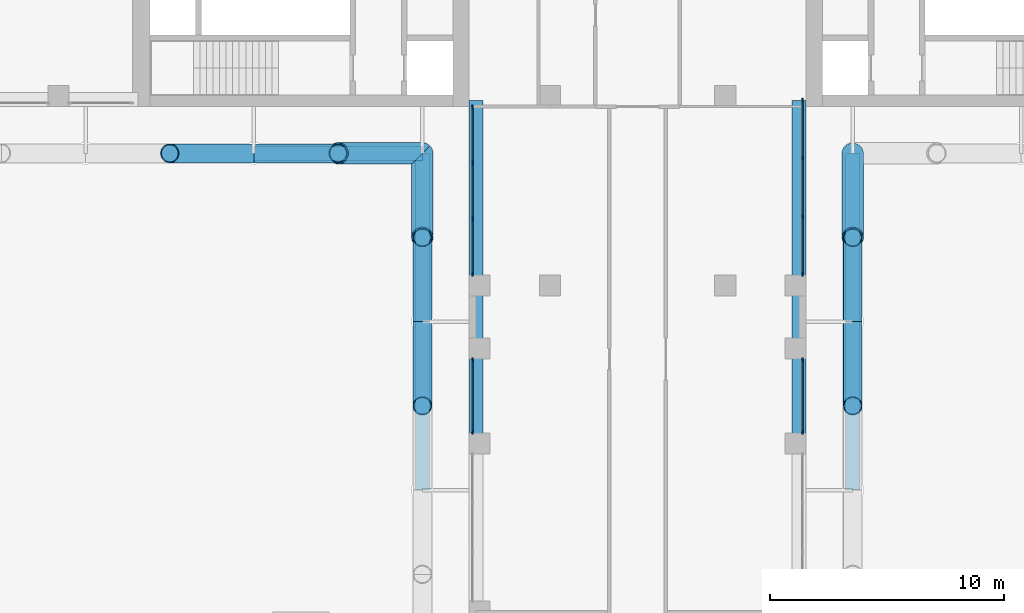
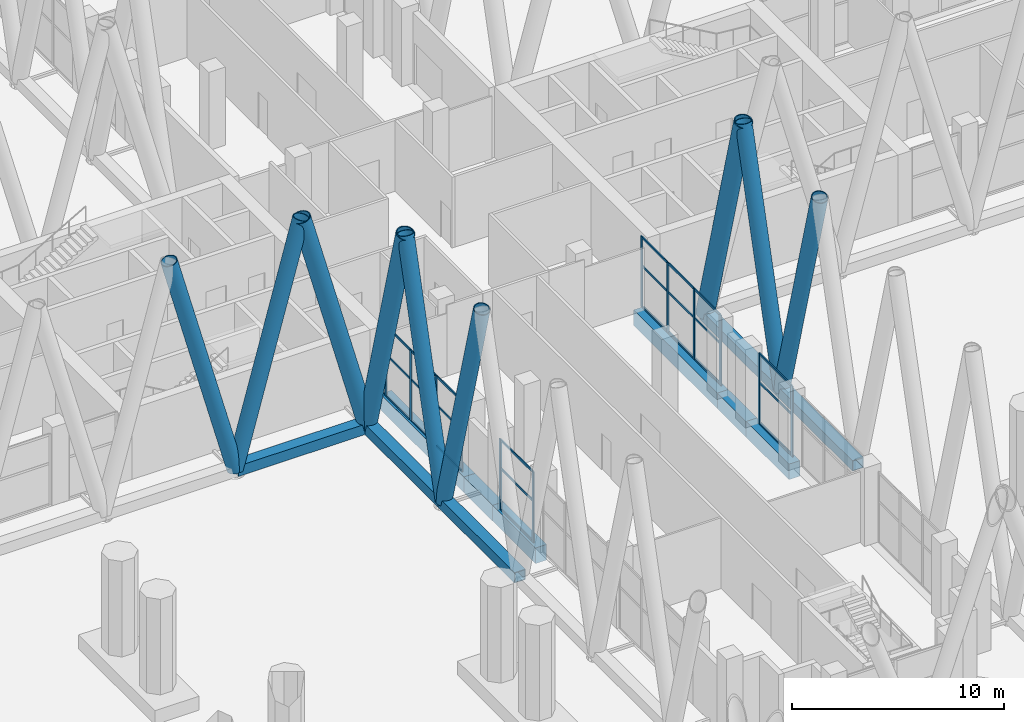
# One storey, part 6 of 31: 50 members, 6 beams, 4 elements without a shape of their own.
"""IFC4 building model written with IfcOpenShell, lengths in metres."""

from ifc_helpers import new_model, si_unit, direction, frame, origin, origin_2d, place, context, subcontext, project, spatial, rectangle, hollow_rectangle, hollow_circle, extrude, material, material_profile, profile_set, type_object, element, aggregate, save


model = new_model("IFC4")

# Units and contexts
model_context = context("Model", 3, precision=1e-05, world=origin(), true_north=direction((0.0, 1.0)))
body_context = subcontext(model_context, "Body", "Model", "MODEL_VIEW")
ifc_project = project(units=[si_unit("LENGTHUNIT", "METRE"), si_unit("AREAUNIT", "SQUARE_METRE"), si_unit("VOLUMEUNIT", "CUBIC_METRE"), si_unit("PLANEANGLEUNIT", "RADIAN"), si_unit("MASSUNIT", "GRAM", prefix="KILO")], contexts=[model_context])

# Site, building, storey
site_placement = place(None, origin())
site = spatial("IfcSite", under=ifc_project, at=site_placement, CompositionType="ELEMENT")
building_placement = place(site_placement, origin())
building = spatial("IfcBuilding", under=site, at=building_placement, Name="Fustian Cross Tower", CompositionType="ELEMENT")
storey_placement = place(building_placement, frame((0.0, 0.0, 7.199951171875)))
storey = spatial("IfcBuildingStorey", under=building, at=storey_placement, Name="L01", CompositionType="ELEMENT", Elevation=7.199951171875)

# Curtain wall, members
ifc_material_1 = material(Name="Glass", Category="glass")
curtain_wall_type = type_object("IfcCurtainWallType", Name="CW4 CURTAIN WALL", PredefinedType="NOTDEFINED", material=ifc_material_1)
curtain_wall_1_placement = place(storey_placement, origin())
curtain_wall_1 = element("IfcCurtainWall", 1, at=curtain_wall_1_placement, inside=storey, type_object=curtain_wall_type, Name="Curtain wall CW4", PredefinedType="NOTDEFINED")
ifc_material_2 = material(Name="Aluminium alloy 6063", Category="aluminium")
ifc_material_profile_1 = material_profile(ifc_material_2, rectangle(XDim=0.06005859375, YDim=0.159912109375, at=origin_2d()), Name="CW4 MULLION 60x160")
ifc_profile_set_1 = profile_set([ifc_material_profile_1], Name="Aluminium alloy 6063")
member_type_1 = type_object("IfcMemberType", Name="CW4 MULLION 60x160", PredefinedType="MULLION", material=ifc_profile_set_1)
member_1_placement = place(storey_placement, frame((-7.050048828125, -7.22998046875, 0.0), z_axis=(0.0, 0.0, 1.0), x_axis=(1.0, 0.0, 0.0)))
member_1 = element("IfcMember", 2, at=member_1_placement, type_object=member_type_1, Name="CW4 mullion 1", PredefinedType="MULLION", context=body_context, shape_type="SweptSolid", body=[
    extrude(rectangle(XDim=0.06005859375, YDim=0.159912109375, at=origin_2d()), origin(), (0.0, 0.0, 1.0), 4.074951171875),
])
member_2_placement = place(storey_placement, frame((-7.050048828125, -9.60009765625, 0.0), z_axis=(0.0, 0.0, 1.0), x_axis=(1.0, 0.0, 0.0)))
member_2 = element("IfcMember", 3, at=member_2_placement, type_object=member_type_1, Name="CW4 mullion 2", PredefinedType="MULLION", context=body_context, shape_type="SweptSolid", body=[
    extrude(rectangle(XDim=0.06005859375, YDim=0.159912109375, at=origin_2d()), origin(), (0.0, 0.0, 1.0), 4.074951171875),
])
member_3_placement = place(storey_placement, frame((-7.050048828125, -12.0, 0.0), z_axis=(0.0, 0.0, 1.0), x_axis=(1.0, 0.0, 0.0)))
member_3 = element("IfcMember", 4, at=member_3_placement, type_object=member_type_1, Name="CW4 mullion 3", PredefinedType="MULLION", context=body_context, shape_type="SweptSolid", body=[
    extrude(rectangle(XDim=0.06005859375, YDim=0.159912109375, at=origin_2d()), origin(), (0.0, 0.0, 1.0), 4.074951171875),
])
member_4_placement = place(storey_placement, frame((-7.050048828125, -14.3701171875, 0.0), z_axis=(0.0, 0.0, 1.0), x_axis=(1.0, 0.0, 0.0)))
member_4 = element("IfcMember", 5, at=member_4_placement, type_object=member_type_1, Name="CW4 mullion 4", PredefinedType="MULLION", context=body_context, shape_type="SweptSolid", body=[
    extrude(rectangle(XDim=0.06005859375, YDim=0.159912109375, at=origin_2d()), origin(), (0.0, 0.0, 1.0), 4.074951171875),
])

curtain_wall_2_placement = place(storey_placement, origin())
curtain_wall_2 = element("IfcCurtainWall", 6, at=curtain_wall_2_placement, inside=storey, type_object=curtain_wall_type, Name="Curtain wall CW4", PredefinedType="NOTDEFINED")
member_5_placement = place(storey_placement, frame((-7.050048828125, -18.030029296875, 0.0), z_axis=(0.0, 0.0, 1.0), x_axis=(1.0, 0.0, 0.0)))
member_5 = element("IfcMember", 7, at=member_5_placement, type_object=member_type_1, Name="CW4 mullion 1", PredefinedType="MULLION", context=body_context, shape_type="SweptSolid", body=[
    extrude(rectangle(XDim=0.06005859375, YDim=0.159912109375, at=origin_2d()), origin(), (0.0, 0.0, 1.0), 4.074951171875),
])
member_6_placement = place(storey_placement, frame((-7.050048828125, -21.1201171875, 0.0), z_axis=(0.0, 0.0, 1.0), x_axis=(1.0, 0.0, 0.0)))
member_6 = element("IfcMember", 8, at=member_6_placement, type_object=member_type_1, Name="CW4 mullion 2", PredefinedType="MULLION", context=body_context, shape_type="SweptSolid", body=[
    extrude(rectangle(XDim=0.06005859375, YDim=0.159912109375, at=origin_2d()), origin(), (0.0, 0.0, 1.0), 4.074951171875),
])

curtain_wall_3_placement = place(storey_placement, origin())
curtain_wall_3 = element("IfcCurtainWall", 9, at=curtain_wall_3_placement, inside=storey, type_object=curtain_wall_type, Name="Curtain wall CW4", PredefinedType="NOTDEFINED")
member_7_placement = place(storey_placement, frame((7.050048828125, -21.1201171875, 0.0), z_axis=(0.0, 0.0, 1.0), x_axis=(-1.0, 0.0, 0.0)))
member_7 = element("IfcMember", 10, at=member_7_placement, type_object=member_type_1, Name="CW4 mullion 1", PredefinedType="MULLION", context=body_context, shape_type="SweptSolid", body=[
    extrude(rectangle(XDim=0.06005859375, YDim=0.159912109375, at=origin_2d()), origin(), (0.0, 0.0, 1.0), 4.074951171875),
])
member_8_placement = place(storey_placement, frame((7.050048828125, -18.030029296875, 0.0), z_axis=(0.0, 0.0, 1.0), x_axis=(-1.0, 0.0, 0.0)))
member_8 = element("IfcMember", 11, at=member_8_placement, type_object=member_type_1, Name="CW4 mullion 2", PredefinedType="MULLION", context=body_context, shape_type="SweptSolid", body=[
    extrude(rectangle(XDim=0.06005859375, YDim=0.159912109375, at=origin_2d()), origin(), (0.0, 0.0, 1.0), 4.074951171875),
])

curtain_wall_4_placement = place(storey_placement, origin())
curtain_wall_4 = element("IfcCurtainWall", 12, at=curtain_wall_4_placement, inside=storey, type_object=curtain_wall_type, Name="Curtain wall CW4", PredefinedType="NOTDEFINED")
member_9_placement = place(storey_placement, frame((7.050048828125, -14.3701171875, 0.0), z_axis=(0.0, 0.0, 1.0), x_axis=(-1.0, 0.0, 0.0)))
member_9 = element("IfcMember", 13, at=member_9_placement, type_object=member_type_1, Name="CW4 mullion 1", PredefinedType="MULLION", context=body_context, shape_type="SweptSolid", body=[
    extrude(rectangle(XDim=0.06005859375, YDim=0.159912109375, at=origin_2d()), origin(), (0.0, 0.0, 1.0), 4.074951171875),
])
member_10_placement = place(storey_placement, frame((7.050048828125, -11.89990234375, 0.0), z_axis=(0.0, 0.0, 1.0), x_axis=(-1.0, 0.0, 0.0)))
member_10 = element("IfcMember", 14, at=member_10_placement, type_object=member_type_1, Name="CW4 mullion 2", PredefinedType="MULLION", context=body_context, shape_type="SweptSolid", body=[
    extrude(rectangle(XDim=0.06005859375, YDim=0.159912109375, at=origin_2d()), origin(), (0.0, 0.0, 1.0), 4.074951171875),
])
member_11_placement = place(storey_placement, frame((7.050048828125, -9.39990234375, 0.0), z_axis=(0.0, 0.0, 1.0), x_axis=(-1.0, 0.0, 0.0)))
member_11 = element("IfcMember", 15, at=member_11_placement, type_object=member_type_1, Name="CW4 mullion 3", PredefinedType="MULLION", context=body_context, shape_type="SweptSolid", body=[
    extrude(rectangle(XDim=0.06005859375, YDim=0.159912109375, at=origin_2d()), origin(), (0.0, 0.0, 1.0), 4.074951171875),
])
member_12_placement = place(storey_placement, frame((7.050048828125, -6.929931640625, 0.0), z_axis=(0.0, 0.0, 1.0), x_axis=(-1.0, 0.0, 0.0)))
member_12 = element("IfcMember", 16, at=member_12_placement, type_object=member_type_1, Name="CW4 mullion 4", PredefinedType="MULLION", context=body_context, shape_type="SweptSolid", body=[
    extrude(rectangle(XDim=0.06005859375, YDim=0.159912109375, at=origin_2d()), origin(), (0.0, 0.0, 1.0), 4.074951171875),
])

# Member
ifc_material_3 = material(Name="Aluminium alloy 6063", Category="aluminium")
ifc_material_profile_2 = material_profile(ifc_material_3, rectangle(XDim=0.06005859375, YDim=0.1201171875, at=origin_2d()), Name="CW4 TRANSOM 60x120")
ifc_profile_set_2 = profile_set([ifc_material_profile_2], Name="Aluminium alloy 6063")
member_type_2 = type_object("IfcMemberType", Name="CW4 TRANSOM 60x120", PredefinedType="USERDEFINED", material=ifc_profile_set_2)
member_13_placement = place(storey_placement, frame((-7.050048828125, -7.260009765625, 0.030029296875), z_axis=(0.0, -1.0, 0.0), x_axis=(1.0, 0.0, 0.0)))
member_13 = element("IfcMember", 17, at=member_13_placement, type_object=member_type_2, Name="CW4 transom 1.1", ObjectType="TRANSOM", PredefinedType="USERDEFINED", context=body_context, shape_type="SweptSolid", body=[
    extrude(rectangle(XDim=0.06005859375, YDim=0.1201171875, at=origin_2d()), origin(), (0.0, 0.0, 1.0), 2.31005859375),
])

member_14_placement = place(storey_placement, frame((-7.050048828125, -7.260009765625, 2.400146484375), z_axis=(0.0, -1.0, 0.0), x_axis=(1.0, 0.0, 0.0)))
member_14 = element("IfcMember", 18, at=member_14_placement, type_object=member_type_2, Name="CW4 transom 1.2", ObjectType="TRANSOM", PredefinedType="USERDEFINED", context=body_context, shape_type="SweptSolid", body=[
    extrude(rectangle(XDim=0.06005859375, YDim=0.1201171875, at=origin_2d()), origin(), (0.0, 0.0, 1.0), 2.31005859375),
])

member_15_placement = place(storey_placement, frame((-7.050048828125, -7.260009765625, 4.045166015625), z_axis=(0.0, -1.0, 0.0), x_axis=(1.0, 0.0, 0.0)))
member_15 = element("IfcMember", 19, at=member_15_placement, type_object=member_type_2, Name="CW4 transom 1.3", ObjectType="TRANSOM", PredefinedType="USERDEFINED", context=body_context, shape_type="SweptSolid", body=[
    extrude(rectangle(XDim=0.06005859375, YDim=0.1201171875, at=origin_2d()), origin(), (0.0, 0.0, 1.0), 2.31005859375),
])

member_16_placement = place(storey_placement, frame((-7.050048828125, -9.6298828125, 0.030029296875), z_axis=(0.0, -1.0, 0.0), x_axis=(1.0, 0.0, 0.0)))
member_16 = element("IfcMember", 20, at=member_16_placement, type_object=member_type_2, Name="CW4 transom 2.1", ObjectType="TRANSOM", PredefinedType="USERDEFINED", context=body_context, shape_type="SweptSolid", body=[
    extrude(rectangle(XDim=0.06005859375, YDim=0.1201171875, at=origin_2d()), origin(), (0.0, 0.0, 1.0), 2.340087890625),
])

member_17_placement = place(storey_placement, frame((-7.050048828125, -9.6298828125, 2.400146484375), z_axis=(0.0, -1.0, 0.0), x_axis=(1.0, 0.0, 0.0)))
member_17 = element("IfcMember", 21, at=member_17_placement, type_object=member_type_2, Name="CW4 transom 2.2", ObjectType="TRANSOM", PredefinedType="USERDEFINED", context=body_context, shape_type="SweptSolid", body=[
    extrude(rectangle(XDim=0.06005859375, YDim=0.1201171875, at=origin_2d()), origin(), (0.0, 0.0, 1.0), 2.340087890625),
])

member_18_placement = place(storey_placement, frame((-7.050048828125, -9.6298828125, 4.045166015625), z_axis=(0.0, -1.0, 0.0), x_axis=(1.0, 0.0, 0.0)))
member_18 = element("IfcMember", 22, at=member_18_placement, type_object=member_type_2, Name="CW4 transom 2.3", ObjectType="TRANSOM", PredefinedType="USERDEFINED", context=body_context, shape_type="SweptSolid", body=[
    extrude(rectangle(XDim=0.06005859375, YDim=0.1201171875, at=origin_2d()), origin(), (0.0, 0.0, 1.0), 2.340087890625),
])

member_19_placement = place(storey_placement, frame((-7.050048828125, -12.030029296875, 0.030029296875), z_axis=(0.0, -1.0, 0.0), x_axis=(1.0, 0.0, 0.0)))
member_19 = element("IfcMember", 23, at=member_19_placement, type_object=member_type_2, Name="CW4 transom 3.1", ObjectType="TRANSOM", PredefinedType="USERDEFINED", context=body_context, shape_type="SweptSolid", body=[
    extrude(rectangle(XDim=0.06005859375, YDim=0.1201171875, at=origin_2d()), origin(), (0.0, 0.0, 1.0), 2.31005859375),
])

member_20_placement = place(storey_placement, frame((-7.050048828125, -12.030029296875, 2.400146484375), z_axis=(0.0, -1.0, 0.0), x_axis=(1.0, 0.0, 0.0)))
member_20 = element("IfcMember", 24, at=member_20_placement, type_object=member_type_2, Name="CW4 transom 3.2", ObjectType="TRANSOM", PredefinedType="USERDEFINED", context=body_context, shape_type="SweptSolid", body=[
    extrude(rectangle(XDim=0.06005859375, YDim=0.1201171875, at=origin_2d()), origin(), (0.0, 0.0, 1.0), 2.31005859375),
])

member_21_placement = place(storey_placement, frame((-7.050048828125, -12.030029296875, 4.045166015625), z_axis=(0.0, -1.0, 0.0), x_axis=(1.0, 0.0, 0.0)))
member_21 = element("IfcMember", 25, at=member_21_placement, type_object=member_type_2, Name="CW4 transom 3.3", ObjectType="TRANSOM", PredefinedType="USERDEFINED", context=body_context, shape_type="SweptSolid", body=[
    extrude(rectangle(XDim=0.06005859375, YDim=0.1201171875, at=origin_2d()), origin(), (0.0, 0.0, 1.0), 2.31005859375),
])

aggregate(curtain_wall_1, [member_1, member_2, member_3, member_4, member_13, member_14, member_15, member_16, member_17, member_18, member_19, member_20, member_21])

member_22_placement = place(storey_placement, frame((-7.050048828125, -18.06005859375, 0.030029296875), z_axis=(0.0, -1.0, 0.0), x_axis=(1.0, 0.0, 0.0)))
member_22 = element("IfcMember", 26, at=member_22_placement, type_object=member_type_2, Name="CW4 transom 1.1", ObjectType="TRANSOM", PredefinedType="USERDEFINED", context=body_context, shape_type="SweptSolid", body=[
    extrude(rectangle(XDim=0.06005859375, YDim=0.1201171875, at=origin_2d()), origin(), (0.0, 0.0, 1.0), 3.030029296875),
])

member_23_placement = place(storey_placement, frame((-7.050048828125, -18.06005859375, 2.400146484375), z_axis=(0.0, -1.0, 0.0), x_axis=(1.0, 0.0, 0.0)))
member_23 = element("IfcMember", 27, at=member_23_placement, type_object=member_type_2, Name="CW4 transom 1.2", ObjectType="TRANSOM", PredefinedType="USERDEFINED", context=body_context, shape_type="SweptSolid", body=[
    extrude(rectangle(XDim=0.06005859375, YDim=0.1201171875, at=origin_2d()), origin(), (0.0, 0.0, 1.0), 3.030029296875),
])

member_24_placement = place(storey_placement, frame((-7.050048828125, -18.06005859375, 4.045166015625), z_axis=(0.0, -1.0, 0.0), x_axis=(1.0, 0.0, 0.0)))
member_24 = element("IfcMember", 28, at=member_24_placement, type_object=member_type_2, Name="CW4 transom 1.3", ObjectType="TRANSOM", PredefinedType="USERDEFINED", context=body_context, shape_type="SweptSolid", body=[
    extrude(rectangle(XDim=0.06005859375, YDim=0.1201171875, at=origin_2d()), origin(), (0.0, 0.0, 1.0), 3.030029296875),
])

aggregate(curtain_wall_2, [member_5, member_6, member_22, member_23, member_24])

member_25_placement = place(storey_placement, frame((7.050048828125, -21.090087890625, 0.030029296875), z_axis=(0.0, 1.0, 0.0), x_axis=(-1.0, 0.0, 0.0)))
member_25 = element("IfcMember", 29, at=member_25_placement, type_object=member_type_2, Name="CW4 transom 1.1", ObjectType="TRANSOM", PredefinedType="USERDEFINED", context=body_context, shape_type="SweptSolid", body=[
    extrude(rectangle(XDim=0.06005859375, YDim=0.1201171875, at=origin_2d()), origin(), (0.0, 0.0, 1.0), 3.030029296875),
])

member_26_placement = place(storey_placement, frame((7.050048828125, -21.090087890625, 2.400146484375), z_axis=(0.0, 1.0, 0.0), x_axis=(-1.0, 0.0, 0.0)))
member_26 = element("IfcMember", 30, at=member_26_placement, type_object=member_type_2, Name="CW4 transom 1.2", ObjectType="TRANSOM", PredefinedType="USERDEFINED", context=body_context, shape_type="SweptSolid", body=[
    extrude(rectangle(XDim=0.06005859375, YDim=0.1201171875, at=origin_2d()), origin(), (0.0, 0.0, 1.0), 3.030029296875),
])

member_27_placement = place(storey_placement, frame((7.050048828125, -21.090087890625, 4.045166015625), z_axis=(0.0, 1.0, 0.0), x_axis=(-1.0, 0.0, 0.0)))
member_27 = element("IfcMember", 31, at=member_27_placement, type_object=member_type_2, Name="CW4 transom 1.3", ObjectType="TRANSOM", PredefinedType="USERDEFINED", context=body_context, shape_type="SweptSolid", body=[
    extrude(rectangle(XDim=0.06005859375, YDim=0.1201171875, at=origin_2d()), origin(), (0.0, 0.0, 1.0), 3.030029296875),
])

aggregate(curtain_wall_3, [member_7, member_8, member_25, member_26, member_27])

member_28_placement = place(storey_placement, frame((7.050048828125, -14.340087890625, 0.030029296875), z_axis=(0.0, 1.0, 0.0), x_axis=(-1.0, 0.0, 0.0)))
member_28 = element("IfcMember", 32, at=member_28_placement, type_object=member_type_2, Name="CW4 transom 1.1", ObjectType="TRANSOM", PredefinedType="USERDEFINED", context=body_context, shape_type="SweptSolid", body=[
    extrude(rectangle(XDim=0.06005859375, YDim=0.1201171875, at=origin_2d()), origin(), (0.0, 0.0, 1.0), 2.41015625),
])

member_29_placement = place(storey_placement, frame((7.050048828125, -14.340087890625, 2.400146484375), z_axis=(0.0, 1.0, 0.0), x_axis=(-1.0, 0.0, 0.0)))
member_29 = element("IfcMember", 33, at=member_29_placement, type_object=member_type_2, Name="CW4 transom 1.2", ObjectType="TRANSOM", PredefinedType="USERDEFINED", context=body_context, shape_type="SweptSolid", body=[
    extrude(rectangle(XDim=0.06005859375, YDim=0.1201171875, at=origin_2d()), origin(), (0.0, 0.0, 1.0), 2.41015625),
])

member_30_placement = place(storey_placement, frame((7.050048828125, -14.340087890625, 4.045166015625), z_axis=(0.0, 1.0, 0.0), x_axis=(-1.0, 0.0, 0.0)))
member_30 = element("IfcMember", 34, at=member_30_placement, type_object=member_type_2, Name="CW4 transom 1.3", ObjectType="TRANSOM", PredefinedType="USERDEFINED", context=body_context, shape_type="SweptSolid", body=[
    extrude(rectangle(XDim=0.06005859375, YDim=0.1201171875, at=origin_2d()), origin(), (0.0, 0.0, 1.0), 2.41015625),
])

member_31_placement = place(storey_placement, frame((7.050048828125, -11.8701171875, 0.030029296875), z_axis=(0.0, 1.0, 0.0), x_axis=(-1.0, 0.0, 0.0)))
member_31 = element("IfcMember", 35, at=member_31_placement, type_object=member_type_2, Name="CW4 transom 2.1", ObjectType="TRANSOM", PredefinedType="USERDEFINED", context=body_context, shape_type="SweptSolid", body=[
    extrude(rectangle(XDim=0.06005859375, YDim=0.1201171875, at=origin_2d()), origin(), (0.0, 0.0, 1.0), 2.440185546875),
])

member_32_placement = place(storey_placement, frame((7.050048828125, -11.8701171875, 2.400146484375), z_axis=(0.0, 1.0, 0.0), x_axis=(-1.0, 0.0, 0.0)))
member_32 = element("IfcMember", 36, at=member_32_placement, type_object=member_type_2, Name="CW4 transom 2.2", ObjectType="TRANSOM", PredefinedType="USERDEFINED", context=body_context, shape_type="SweptSolid", body=[
    extrude(rectangle(XDim=0.06005859375, YDim=0.1201171875, at=origin_2d()), origin(), (0.0, 0.0, 1.0), 2.440185546875),
])

member_33_placement = place(storey_placement, frame((7.050048828125, -11.8701171875, 4.045166015625), z_axis=(0.0, 1.0, 0.0), x_axis=(-1.0, 0.0, 0.0)))
member_33 = element("IfcMember", 37, at=member_33_placement, type_object=member_type_2, Name="CW4 transom 2.3", ObjectType="TRANSOM", PredefinedType="USERDEFINED", context=body_context, shape_type="SweptSolid", body=[
    extrude(rectangle(XDim=0.06005859375, YDim=0.1201171875, at=origin_2d()), origin(), (0.0, 0.0, 1.0), 2.440185546875),
])

member_34_placement = place(storey_placement, frame((7.050048828125, -9.3701171875, 0.030029296875), z_axis=(0.0, 1.0, 0.0), x_axis=(-1.0, 0.0, 0.0)))
member_34 = element("IfcMember", 38, at=member_34_placement, type_object=member_type_2, Name="CW4 transom 3.1", ObjectType="TRANSOM", PredefinedType="USERDEFINED", context=body_context, shape_type="SweptSolid", body=[
    extrude(rectangle(XDim=0.06005859375, YDim=0.1201171875, at=origin_2d()), origin(), (0.0, 0.0, 1.0), 2.41015625),
])

member_35_placement = place(storey_placement, frame((7.050048828125, -9.3701171875, 2.400146484375), z_axis=(0.0, 1.0, 0.0), x_axis=(-1.0, 0.0, 0.0)))
member_35 = element("IfcMember", 39, at=member_35_placement, type_object=member_type_2, Name="CW4 transom 3.2", ObjectType="TRANSOM", PredefinedType="USERDEFINED", context=body_context, shape_type="SweptSolid", body=[
    extrude(rectangle(XDim=0.06005859375, YDim=0.1201171875, at=origin_2d()), origin(), (0.0, 0.0, 1.0), 2.41015625),
])

member_36_placement = place(storey_placement, frame((7.050048828125, -9.3701171875, 4.045166015625), z_axis=(0.0, 1.0, 0.0), x_axis=(-1.0, 0.0, 0.0)))
member_36 = element("IfcMember", 40, at=member_36_placement, type_object=member_type_2, Name="CW4 transom 3.3", ObjectType="TRANSOM", PredefinedType="USERDEFINED", context=body_context, shape_type="SweptSolid", body=[
    extrude(rectangle(XDim=0.06005859375, YDim=0.1201171875, at=origin_2d()), origin(), (0.0, 0.0, 1.0), 2.41015625),
])

aggregate(curtain_wall_4, [member_9, member_10, member_11, member_12, member_28, member_29, member_30, member_31, member_32, member_33, member_34, member_35, member_36])

# Members
ifc_material_4 = material(Name="Steel S355", Category="steel")
ifc_material_profile_3 = material_profile(ifc_material_4, hollow_circle(Radius=0.406494140625, WallThickness=0.0400390625, at=origin_2d()), Name="CHS 813x40")
ifc_profile_set_3 = profile_set([ifc_material_profile_3], Name="Steel S355")
member_type_3 = type_object("IfcMemberType", Name="DIAGRID DIAGONAL CHS 813x40", PredefinedType="BRACE", material=ifc_profile_set_3)
for number, where, z_axis, x_axis, name in (
    (41, (-16.39990234375, -9.199951171875, 0.300048828125), (-0.263124955092, 0.0, 0.964761762306), (0.0, -1.0, 0.0), "Diagrid diagonal W-S 08"),
    (42, (-16.39990234375, -9.199951171875, 0.300048828125), (0.263108346568, 0.0, 0.964766291889), (0.0, 1.0, 0.0), "Diagrid diagonal W-S 09"),
    (43, (-9.199951171875, -16.39990234375, 0.300048828125), (0.0, 0.263108346568, 0.964766291889), (-1.0, 0.0, 0.0), "Diagrid diagonal S-W 02"),
    (44, (-9.199951171875, -16.39990234375, 0.300048828125), (0.0, -0.263124955092, 0.964761762306), (1.0, 0.0, 0.0), "Diagrid diagonal S-W 03"),
    (45, (9.199951171875, -16.39990234375, 0.300048828125), (0.0, -0.263124955092, 0.964761762306), (1.0, 0.0, 0.0), "Diagrid diagonal S-E 08"),
    (46, (9.199951171875, -16.39990234375, 0.300048828125), (0.0, 0.263108346568, 0.964766291889), (-1.0, 0.0, 0.0), "Diagrid diagonal S-E 09"),
):
    element("IfcMember", number, at=place(storey_placement, frame(where, z_axis=z_axis, x_axis=x_axis)), inside=storey, type_object=member_type_3, Name=name, PredefinedType="BRACE", context=body_context, shape_type="SweptSolid", body=[
        extrude(hollow_circle(Radius=0.406494140625, WallThickness=0.0400390625, at=origin_2d()), origin(), (0.0, 0.0, 1.0), 13.68212890625),
    ])
ifc_material_5 = material(Name="Steel S355", Category="steel")
ifc_material_profile_4 = material_profile(ifc_material_5, hollow_circle(Radius=0.457275390625, WallThickness=0.050048828125, at=origin_2d()), Name="CHS 914x50")
ifc_profile_set_4 = profile_set([ifc_material_profile_4], Name="Steel S355")
member_type_4 = type_object("IfcMemberType", Name="DIAGRID DIAGONAL CHS 914x50", PredefinedType="BRACE", material=ifc_profile_set_4)
for number, where, z_axis, x_axis, name in (
    (47, (-9.199951171875, -9.199951171875, 0.300048828125), (-0.263124955092, 0.0, 0.964761762306), (0.0, -1.0, 0.0), "Diagrid diagonal W-S 10"),
    (48, (-9.199951171875, -9.199951171875, 0.300048828125), (0.0, -0.263124955092, 0.964761762306), (1.0, 0.0, 0.0), "Diagrid diagonal S-W 01"),
    (49, (9.199951171875, -9.199951171875, 0.300048828125), (0.0, -0.263124955092, 0.964761762306), (1.0, 0.0, 0.0), "Diagrid diagonal S-E 10"),
):
    element("IfcMember", number, at=place(storey_placement, frame(where, z_axis=z_axis, x_axis=x_axis)), inside=storey, type_object=member_type_4, Name=name, PredefinedType="BRACE", context=body_context, shape_type="SweptSolid", body=[
        extrude(hollow_circle(Radius=0.457275390625, WallThickness=0.050048828125, at=origin_2d()), origin(), (0.0, 0.0, 1.0), 13.68212890625),
    ])
ifc_material_6 = material(Name="Steel S355", Category="steel")
ifc_material_profile_5 = material_profile(ifc_material_6, hollow_rectangle(XDim=0.60009765625, YDim=0.60009765625, WallThickness=0.030029296875, at=origin_2d()), Name="RHS 600x600x30")
ifc_profile_set_5 = profile_set([ifc_material_profile_5], Name="Steel S355")
member_type_5 = type_object("IfcMemberType", Name="DIAGRID RING RHS 600x600x30", PredefinedType="MEMBER", material=ifc_profile_set_5)
for number, where, z_axis, x_axis, name in (
    (50, (-16.39990234375, -9.199951171875, 0.300048828125), (1.0, 0.0, 0.0), (0.0, 1.0, 0.0), "Diagrid ring L01-31 L01-32"),
    (51, (-9.199951171875, -9.199951171875, 0.300048828125), (0.0, -1.0, 0.0), (1.0, 0.0, 0.0), "Diagrid ring L01-32 L01-33"),
):
    element("IfcMember", number, at=place(storey_placement, frame(where, z_axis=z_axis, x_axis=x_axis)), inside=storey, type_object=member_type_5, Name=name, PredefinedType="MEMBER", context=body_context, shape_type="SweptSolid", body=[
        extrude(hollow_rectangle(XDim=0.60009765625, YDim=0.60009765625, WallThickness=0.030029296875, at=origin_2d()), origin(), (0.0, 0.0, 1.0), 7.199951171875),
    ])
for number, where, z_axis, x_axis, name in (
    (52, (-9.199951171875, -16.39990234375, 0.300048828125), (0.0, -1.0, 0.0), (1.0, 0.0, 0.0), "Diagrid ring L01-33 L01-34"),
    (53, (9.199951171875, -23.60009765625, 0.300048828125), (0.0, 1.0, 0.0), (-1.0, 0.0, 0.0), "Diagrid ring L01-42 L01-43"),
):
    element("IfcMember", number, at=place(storey_placement, frame(where, z_axis=z_axis, x_axis=x_axis)), inside=storey, type_object=member_type_5, Name=name, PredefinedType="MEMBER", context=body_context, shape_type="SweptSolid", body=[
        extrude(hollow_rectangle(XDim=0.60009765625, YDim=0.60009765625, WallThickness=0.030029296875, at=origin_2d()), origin(), (0.0, 0.0, 1.0), 7.2001953125),
    ])
member_37_placement = place(storey_placement, frame((9.199951171875, -16.39990234375, 0.300048828125), z_axis=(0.0, 1.0, 0.0), x_axis=(-1.0, 0.0, 0.0)))
element("IfcMember", 54, at=member_37_placement, inside=storey, type_object=member_type_5, Name="Diagrid ring L01-43 L01-44", PredefinedType="MEMBER", context=body_context, shape_type="SweptSolid", body=[
    extrude(hollow_rectangle(XDim=0.60009765625, YDim=0.60009765625, WallThickness=0.030029296875, at=origin_2d()), origin(), (0.0, 0.0, 1.0), 7.199951171875),
])

# Beams
ifc_material_7 = material(Name="Concrete C50/60", Category="concrete")
ifc_material_profile_6 = material_profile(ifc_material_7, rectangle(XDim=0.60009765625, YDim=0.89990234375, at=origin_2d()), Name="RC 600x900")
ifc_profile_set_6 = profile_set([ifc_material_profile_6], Name="Concrete C50/60")
beam_type = type_object("IfcBeamType", Name="EDGE BEAM RC 600x900 C50/60", PredefinedType="SPANDREL", material=ifc_profile_set_6)
beam_1_placement = place(storey_placement, frame((-6.89990234375, -6.949951171875, -0.449951171875), z_axis=(0.0, -1.0, 0.0), x_axis=(1.0, 0.0, 0.0)))
element("IfcBeam", 55, at=beam_1_placement, inside=storey, type_object=beam_type, Name="EDGE BEAM L01-32", PredefinedType="SPANDREL", context=body_context, shape_type="SweptSolid", body=[
    extrude(rectangle(XDim=0.60009765625, YDim=0.89990234375, at=origin_2d()), origin(), (0.0, 0.0, 1.0), 7.900146484375),
])
beam_2_placement = place(storey_placement, frame((-6.89990234375, -14.85009765625, -0.449951171875), z_axis=(0.0, -1.0, 0.0), x_axis=(1.0, 0.0, 0.0)))
element("IfcBeam", 56, at=beam_2_placement, inside=storey, type_object=beam_type, Name="EDGE BEAM L01-33", PredefinedType="SPANDREL", context=body_context, shape_type="SweptSolid", body=[
    extrude(rectangle(XDim=0.60009765625, YDim=0.89990234375, at=origin_2d()), origin(), (0.0, 0.0, 1.0), 2.699951171875),
])
for number, where, z_axis, x_axis, name in (
    (57, (-6.89990234375, -17.550048828125, -0.449951171875), (0.0, -1.0, 0.0), (1.0, 0.0, 0.0), "EDGE BEAM L01-34"),
    (58, (6.89990234375, -21.60009765625, -0.449951171875), (0.0, 1.0, 0.0), (-1.0, 0.0, 0.0), "EDGE BEAM L01-42"),
):
    element("IfcBeam", number, at=place(storey_placement, frame(where, z_axis=z_axis, x_axis=x_axis)), inside=storey, type_object=beam_type, Name=name, PredefinedType="SPANDREL", context=body_context, shape_type="SweptSolid", body=[
        extrude(rectangle(XDim=0.60009765625, YDim=0.89990234375, at=origin_2d()), origin(), (0.0, 0.0, 1.0), 4.050048828125),
    ])
beam_3_placement = place(storey_placement, frame((6.89990234375, -17.550048828125, -0.449951171875), z_axis=(0.0, 1.0, 0.0), x_axis=(-1.0, 0.0, 0.0)))
element("IfcBeam", 59, at=beam_3_placement, inside=storey, type_object=beam_type, Name="EDGE BEAM L01-43", PredefinedType="SPANDREL", context=body_context, shape_type="SweptSolid", body=[
    extrude(rectangle(XDim=0.60009765625, YDim=0.89990234375, at=origin_2d()), origin(), (0.0, 0.0, 1.0), 2.699951171875),
])
beam_4_placement = place(storey_placement, frame((6.89990234375, -14.85009765625, -0.449951171875), z_axis=(0.0, 1.0, 0.0), x_axis=(-1.0, 0.0, 0.0)))
element("IfcBeam", 60, at=beam_4_placement, inside=storey, type_object=beam_type, Name="EDGE BEAM L01-44", PredefinedType="SPANDREL", context=body_context, shape_type="SweptSolid", body=[
    extrude(rectangle(XDim=0.60009765625, YDim=0.89990234375, at=origin_2d()), origin(), (0.0, 0.0, 1.0), 7.900146484375),
])

save(model, "model.ifc")
